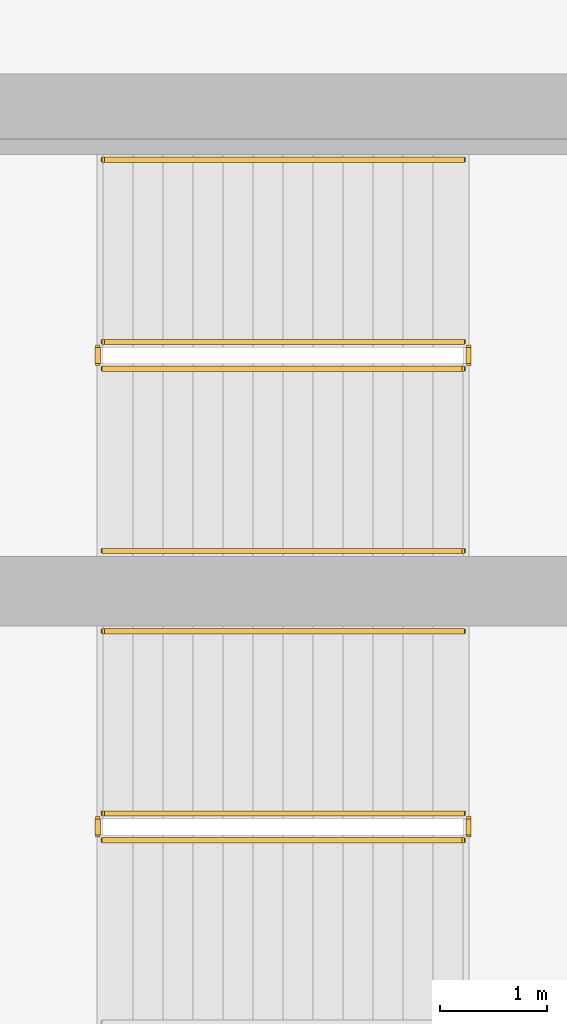
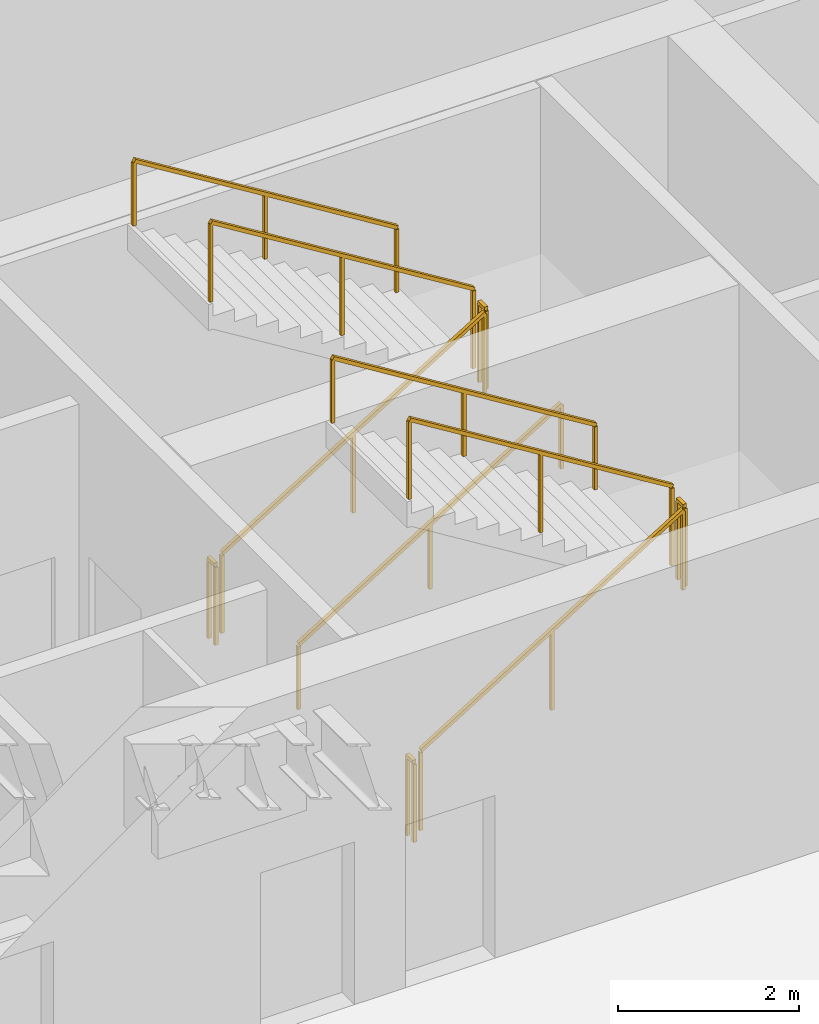
# One storey, part 8 of 10: 11 railings.
"""IFC4 building model written with IfcOpenShell, lengths in metres."""

import ifcopenshell
import ifcopenshell.guid

model = None  # the IFC model being written
_history = None  # IfcOwnerHistory: only IFC2X3 demands one
_inside = {}  # id of a spatial element -> (the spatial element, [elements in it])
_under = {}  # id of a project, library or spatial element -> (it, [spatial elements below it])
_declared = {}  # id of a project -> (the project, [libraries it declares])
_typed = {}  # id of a type object -> (the type object, [elements of that type])
_made_of = {}  # id of a material, layer set ... -> (it, [elements and type objects made of it])


def new_model(schema):
    """Start an empty IFC model of exactly this schema.

    Asked for "IFC4X3", IfcOpenShell would pick the latest addendum, in which some entities
    have other attributes; the version numbers below select the first issue.
    IFC2X3 requires an IfcOwnerHistory on every rooted entity: one is made here for all.
    """
    global model, _history
    if schema == "IFC4X3":
        model = ifcopenshell.file(schema_version=(4, 3, 0, 0))
    else:
        model = ifcopenshell.file(schema=schema)
    _inside.clear()
    _under.clear()
    _declared.clear()
    _typed.clear()
    _made_of.clear()
    _history = None
    if model.schema == "IFC2X3":
        org = make("IfcOrganization", Name="unknown")
        user = make(
            "IfcPersonAndOrganization",
            ThePerson=make("IfcPerson", FamilyName="unknown"),
            TheOrganization=org,
        )
        app = make(
            "IfcApplication",
            ApplicationDeveloper=org,
            Version="unknown",
            ApplicationFullName="unknown",
            ApplicationIdentifier="unknown",
        )
        _history = make(
            "IfcOwnerHistory",
            OwningUser=user,
            OwningApplication=app,
            ChangeAction="ADDED",
            CreationDate=0,
        )
    return model


def make(cls, **values):
    """One entity of the class cls with the attributes given. An attribute that is None is left unset."""
    return model.create_entity(
        cls, **{name: value for name, value in values.items() if value is not None}
    )


def rooted(cls, **values):
    """An entity with a GlobalId (a new one), such as an element, a storey or a relation."""
    return make(cls, GlobalId=ifcopenshell.guid.new(), OwnerHistory=_history, **values)


def si_unit(unit_type, name, prefix=None):
    """IfcSIUnit, for example si_unit("LENGTHUNIT", "METRE", prefix="MILLI")."""
    return make("IfcSIUnit", UnitType=unit_type, Prefix=prefix, Name=name)


def assignment(units):
    """IfcUnitAssignment: the units of a project."""
    return None if units is None else make("IfcUnitAssignment", Units=units)


def point(xyz):
    """IfcCartesianPoint."""
    return None if xyz is None else make("IfcCartesianPoint", Coordinates=xyz)


def direction(xyz):
    """IfcDirection."""
    return None if xyz is None else make("IfcDirection", DirectionRatios=xyz)


def frame(location, z_axis=None, x_axis=None):
    """IfcAxis2Placement3D, a coordinate frame: its origin and axes. An axis left out is left unset."""
    return make(
        "IfcAxis2Placement3D",
        Location=point(location),
        Axis=direction(z_axis),
        RefDirection=direction(x_axis),
    )


def frame_2d(location, x_axis=None):
    """IfcAxis2Placement2D, a coordinate frame in the plane: its origin and x axis."""
    return make(
        "IfcAxis2Placement2D", Location=point(location), RefDirection=direction(x_axis)
    )


def origin():
    """The frame at (0, 0, 0) with its axes left unset."""
    return frame((0.0, 0.0, 0.0))


def origin_2d():
    """The frame at (0, 0) in the plane with its x axis left unset."""
    return frame_2d((0.0, 0.0))


def place(relative_to, where):
    """IfcLocalPlacement: puts the frame where relative to a parent placement (None: the world)."""
    return make(
        "IfcLocalPlacement", PlacementRelTo=relative_to, RelativePlacement=where
    )


def context(
    kind, dimensions, precision=None, world=None, true_north=None, identifier=None
):
    """IfcGeometricRepresentationContext, for example the 3D "Model" context."""
    return make(
        "IfcGeometricRepresentationContext",
        ContextIdentifier=identifier,
        ContextType=kind,
        CoordinateSpaceDimension=dimensions,
        Precision=precision,
        WorldCoordinateSystem=world,
        TrueNorth=true_north,
    )


def subcontext(parent, identifier, kind, view, scale=None):
    """IfcGeometricRepresentationSubContext, for example "Body" below "Model"."""
    return make(
        "IfcGeometricRepresentationSubContext",
        ContextIdentifier=identifier,
        ContextType=kind,
        ParentContext=parent,
        TargetScale=scale,
        TargetView=view,
    )


def project(units=None, contexts=None):
    """IfcProject with its units and contexts."""
    return rooted(
        "IfcProject",
        Name="project",
        RepresentationContexts=contexts,
        UnitsInContext=assignment(units),
    )


def spatial(cls, under=None, at=None, **own):
    """A site, building, storey or space (cls), placed at a placement, below another one or the project."""
    s = rooted(cls, ObjectPlacement=at, **own)
    if under is not None:
        _under.setdefault(under.id(), (under, []))[1].append(s)
    return s


def profile(cls, at=None, kind="AREA", **sizes):
    """A parametric profile (cls). Its sizes go by their IFC names, for example OverallWidth=200.0."""
    return make(cls, ProfileType=kind, Position=at, **sizes)


def rectangle(**sizes):
    """IfcRectangleProfileDef."""
    return profile("IfcRectangleProfileDef", **sizes)


def extrude(swept, where, along, depth):
    """IfcExtrudedAreaSolid: the profile swept, set in the frame where, extruded along a direction by depth."""
    return make(
        "IfcExtrudedAreaSolid",
        SweptArea=swept,
        Position=where,
        ExtrudedDirection=direction(along),
        Depth=depth,
    )


def shape(context_of_items, identifier, shape_type, items):
    """IfcShapeRepresentation: the items that make up one representation, for example the "Body"."""
    return make(
        "IfcShapeRepresentation",
        ContextOfItems=context_of_items,
        RepresentationIdentifier=identifier,
        RepresentationType=shape_type,
        Items=items,
    )


def material(Name=None, Category=None):
    """IfcMaterial."""
    return make("IfcMaterial", Name=Name, Category=Category)


def layer(
    of_material, thickness, ventilated=None, Name=None, Category=None, Priority=None
):
    """IfcMaterialLayer: one layer of a wall or slab, of a material (None: an air gap)."""
    return make(
        "IfcMaterialLayer",
        Material=of_material,
        LayerThickness=thickness,
        IsVentilated=ventilated,
        Name=Name,
        Category=Category,
        Priority=Priority,
    )


def layer_set(layers, Name=None):
    """IfcMaterialLayerSet."""
    return make("IfcMaterialLayerSet", MaterialLayers=layers, LayerSetName=Name)


def made_of(thing, what):
    """Note that an element or type object is made of a material, layer set ...; save() writes the relation."""
    if what is not None:
        _made_of.setdefault(what.id(), (what, []))[1].append(thing)
    return thing


def type_object(cls, material=None, **own):
    """A type object (cls), such as IfcWallType, which elements share."""
    return made_of(rooted(cls, **own), material)


def element(
    cls,
    number,
    at=None,
    inside=None,
    cuts=None,
    type_object=None,
    material=None,
    context=None,
    identifier="Body",
    shape_type=None,
    held_by="IfcProductDefinitionShape",
    body=None,
    shapes=None,
    **own,
):
    """One element of the class cls, such as IfcWall. Its Tag is "e" and its number.

    at: its placement. inside: the storey or other place that contains it. cuts: it is an
    opening in that element (IfcRelVoidsElement). A single representation is given by context,
    identifier, shape_type and body (its items); several are given by shapes. held_by: the class
    of the entity that holds the representations. save() writes the other relations.
    """
    e = rooted(cls, Tag="e%d" % number, ObjectPlacement=at, **own)
    if body is not None:
        shapes = [shape(context, identifier, shape_type, body)]
    if shapes is not None:
        e.Representation = make(held_by, Representations=shapes)
    if inside is not None:
        _inside.setdefault(inside.id(), (inside, []))[1].append(e)
    if cuts is not None:
        rooted(
            "IfcRelVoidsElement", RelatingBuildingElement=cuts, RelatedOpeningElement=e
        )
    if type_object is not None:
        _typed.setdefault(type_object.id(), (type_object, []))[1].append(e)
    return made_of(e, material)


def aggregate(whole, parts):
    """IfcRelAggregates: a whole, such as a stair, and the parts it consists of."""
    return rooted("IfcRelAggregates", RelatingObject=whole, RelatedObjects=parts)


def save(model, path):
    """Write the relations noted so far, then the file.

    IfcRelAggregates (storeys below a building ...), IfcRelContainedInSpatialStructure (elements
    in a storey), IfcRelDefinesByType, IfcRelAssociatesMaterial and IfcRelDeclares: one each for
    every whole, place, type object, material and project.
    """
    for whole, parts in _under.values():
        aggregate(whole, parts)
    for where, things in _inside.values():
        rooted(
            "IfcRelContainedInSpatialStructure",
            RelatedElements=things,
            RelatingStructure=where,
        )
    for kind, things in _typed.values():
        rooted("IfcRelDefinesByType", RelatedObjects=things, RelatingType=kind)
    for what, things in _made_of.values():
        rooted("IfcRelAssociatesMaterial", RelatedObjects=things, RelatingMaterial=what)
    for by, libraries in _declared.values():
        rooted("IfcRelDeclares", RelatingContext=by, RelatedDefinitions=libraries)
    model.write(path)


model = new_model("IFC4")

# Units and contexts
model_context = context("Model", 3, precision=1e-05, world=origin(), true_north=direction((0.0, 1.0)))
body_context = subcontext(model_context, "Body", "Model", "MODEL_VIEW")
ifc_project = project(units=[si_unit("LENGTHUNIT", "METRE"), si_unit("AREAUNIT", "SQUARE_METRE"), si_unit("VOLUMEUNIT", "CUBIC_METRE"), si_unit("PLANEANGLEUNIT", "RADIAN"), si_unit("MASSUNIT", "GRAM", prefix="KILO")], contexts=[model_context])

# Site, building, storey
site_placement = place(None, origin())
site = spatial("IfcSite", under=ifc_project, at=site_placement, CompositionType="ELEMENT")
building_placement = place(site_placement, origin())
building = spatial("IfcBuilding", under=site, at=building_placement, Name="Caeloran Harvest Quay", CompositionType="ELEMENT")
storey_placement = place(building_placement, frame((0.0, 0.0, -4.5)))
storey = spatial("IfcBuildingStorey", under=building, at=storey_placement, Name="B01", CompositionType="ELEMENT", Elevation=-4.5)

# Railings
ifc_material_1 = material(Name="Painted Steel Baluster and Top-Rail Stair Guard", Category="steel")
ifc_layer_1 = layer(ifc_material_1, 0.050048828125, Name="Painted Steel Baluster and Top-Rail Stair Guard")
ifc_layer_set_1 = layer_set([ifc_layer_1], Name="Painted Steel Baluster and Top-Rail Stair Guard")
railing_type_1 = type_object("IfcRailingType", Name="STAIR-GUARD-1100", PredefinedType="GUARDRAIL", material=ifc_layer_set_1)
railing_1_placement = place(storey_placement, frame((15.89990234375, 38.25, 0.173095703125)))
element("IfcRailing", 1, at=railing_1_placement, inside=storey, type_object=railing_type_1, Name="B01 ST-C1 stair guard 1", PredefinedType="GUARDRAIL", context=body_context, shape_type="SweptSolid", body=[
    extrude(rectangle(XDim=0.048095703125, YDim=0.048095703125, at=origin_2d()), frame((0.0, 0.0, 1.076171875), z_axis=(0.850623216509, 0.0, 0.525775754039), x_axis=(0.0, 1.0, 0.0)), (0.0, 0.0, 1.0), 3.9501953125),
    extrude(rectangle(XDim=0.0419921875, YDim=0.0419921875, at=origin_2d()), origin(), (0.0, 0.0, 1.0), 1.052001953125),
    extrude(rectangle(XDim=0.0419921875, YDim=0.0419921875, at=origin_2d()), frame((1.68017578125, 0.0, 1.03857421875)), (0.0, 0.0, 1.0), 1.052001953125),
    extrude(rectangle(XDim=0.0419921875, YDim=0.0419921875, at=origin_2d()), frame((3.360107421875, 0.0, 2.076904296875)), (0.0, 0.0, 1.0), 1.052001953125),
])
railing_2_placement = place(storey_placement, frame((19.31005859375, 38.300048828125, 2.25)))
element("IfcRailing", 2, at=railing_2_placement, inside=storey, type_object=railing_type_1, Name="B01 ST-C1 stair guard 2", PredefinedType="GUARDRAIL", context=body_context, shape_type="SweptSolid", body=[
    extrude(rectangle(XDim=0.048095703125, YDim=0.048095703125, at=origin_2d()), frame((0.0, 0.0, 1.076171875), z_axis=(0.0, 1.0, 0.0), x_axis=(-1.0, 0.0, 0.0)), (0.0, 0.0, 1.0), 0.14990234375),
    extrude(rectangle(XDim=0.0419921875, YDim=0.0419921875, at=origin_2d()), origin(), (0.0, 0.0, 1.0), 1.052001953125),
    extrude(rectangle(XDim=0.0419921875, YDim=0.0419921875, at=origin_2d()), frame((0.0, 0.14990234375, 0.0)), (0.0, 0.0, 1.0), 1.052001953125),
])
railing_3_placement = place(storey_placement, frame((19.260009765625, 38.5, 2.423095703125)))
element("IfcRailing", 3, at=railing_3_placement, inside=storey, type_object=railing_type_1, Name="B01 ST-C1 stair guard 3", PredefinedType="GUARDRAIL", context=body_context, shape_type="SweptSolid", body=[
    extrude(rectangle(XDim=0.048095703125, YDim=0.048095703125, at=origin_2d()), frame((0.0, 0.0, 1.076171875), z_axis=(-0.850623216509, 0.0, 0.525775754039), x_axis=(0.0, -1.0, 0.0)), (0.0, 0.0, 1.0), 3.9501953125),
    extrude(rectangle(XDim=0.0419921875, YDim=0.0419921875, at=origin_2d()), origin(), (0.0, 0.0, 1.0), 1.052001953125),
    extrude(rectangle(XDim=0.0419921875, YDim=0.0419921875, at=origin_2d()), frame((-1.68017578125, 0.0, 1.03857421875)), (0.0, 0.0, 1.0), 1.052001953125),
    extrude(rectangle(XDim=0.0419921875, YDim=0.0419921875, at=origin_2d()), frame((-3.360107421875, 0.0, 2.076904296875)), (0.0, 0.0, 1.0), 1.052001953125),
])
railing_4_placement = place(storey_placement, frame((15.85009765625, 38.300048828125, 0.0)))
element("IfcRailing", 4, at=railing_4_placement, inside=storey, type_object=railing_type_1, Name="B01 ST-C1 stair guard 4", PredefinedType="GUARDRAIL", context=body_context, shape_type="SweptSolid", body=[
    extrude(rectangle(XDim=0.048095703125, YDim=0.048095703125, at=origin_2d()), frame((0.0, 0.0, 1.076171875), z_axis=(0.0, 1.0, 0.0), x_axis=(-1.0, 0.0, 0.0)), (0.0, 0.0, 1.0), 0.14990234375),
    extrude(rectangle(XDim=0.0419921875, YDim=0.0419921875, at=origin_2d()), origin(), (0.0, 0.0, 1.0), 1.052001953125),
    extrude(rectangle(XDim=0.0419921875, YDim=0.0419921875, at=origin_2d()), frame((0.0, 0.14990234375, 0.0)), (0.0, 0.0, 1.0), 1.052001953125),
])
railing_5_placement = place(storey_placement, frame((15.89990234375, 33.85009765625, 0.173095703125)))
element("IfcRailing", 5, at=railing_5_placement, inside=storey, type_object=railing_type_1, Name="B01 ST-C2 stair guard 1", PredefinedType="GUARDRAIL", context=body_context, shape_type="SweptSolid", body=[
    extrude(rectangle(XDim=0.048095703125, YDim=0.048095703125, at=origin_2d()), frame((0.0, 0.0, 1.076171875), z_axis=(0.850623216509, 0.0, 0.525775754039), x_axis=(0.0, 1.0, 0.0)), (0.0, 0.0, 1.0), 3.9501953125),
    extrude(rectangle(XDim=0.0419921875, YDim=0.0419921875, at=origin_2d()), origin(), (0.0, 0.0, 1.0), 1.052001953125),
    extrude(rectangle(XDim=0.0419921875, YDim=0.0419921875, at=origin_2d()), frame((1.68017578125, 0.0, 1.03857421875)), (0.0, 0.0, 1.0), 1.052001953125),
    extrude(rectangle(XDim=0.0419921875, YDim=0.0419921875, at=origin_2d()), frame((3.360107421875, 0.0, 2.076904296875)), (0.0, 0.0, 1.0), 1.052001953125),
])
railing_6_placement = place(storey_placement, frame((19.31005859375, 33.89990234375, 2.25)))
element("IfcRailing", 6, at=railing_6_placement, inside=storey, type_object=railing_type_1, Name="B01 ST-C2 stair guard 2", PredefinedType="GUARDRAIL", context=body_context, shape_type="SweptSolid", body=[
    extrude(rectangle(XDim=0.048095703125, YDim=0.048095703125, at=origin_2d()), frame((0.0, 0.0, 1.076171875), z_axis=(0.0, 1.0, 0.0), x_axis=(-1.0, 0.0, 0.0)), (0.0, 0.0, 1.0), 0.150146484375),
    extrude(rectangle(XDim=0.0419921875, YDim=0.0419921875, at=origin_2d()), origin(), (0.0, 0.0, 1.0), 1.052001953125),
    extrude(rectangle(XDim=0.0419921875, YDim=0.0419921875, at=origin_2d()), frame((0.0, 0.150146484375, 0.0)), (0.0, 0.0, 1.0), 1.052001953125),
])
railing_7_placement = place(storey_placement, frame((19.260009765625, 34.10009765625, 2.423095703125)))
element("IfcRailing", 7, at=railing_7_placement, inside=storey, type_object=railing_type_1, Name="B01 ST-C2 stair guard 3", PredefinedType="GUARDRAIL", context=body_context, shape_type="SweptSolid", body=[
    extrude(rectangle(XDim=0.048095703125, YDim=0.048095703125, at=origin_2d()), frame((0.0, 0.0, 1.076171875), z_axis=(-0.850623216509, 0.0, 0.525775754039), x_axis=(0.0, -1.0, 0.0)), (0.0, 0.0, 1.0), 3.9501953125),
    extrude(rectangle(XDim=0.0419921875, YDim=0.0419921875, at=origin_2d()), origin(), (0.0, 0.0, 1.0), 1.052001953125),
    extrude(rectangle(XDim=0.0419921875, YDim=0.0419921875, at=origin_2d()), frame((-1.68017578125, 0.0, 1.03857421875)), (0.0, 0.0, 1.0), 1.052001953125),
    extrude(rectangle(XDim=0.0419921875, YDim=0.0419921875, at=origin_2d()), frame((-3.360107421875, 0.0, 2.076904296875)), (0.0, 0.0, 1.0), 1.052001953125),
])
railing_8_placement = place(storey_placement, frame((15.85009765625, 33.89990234375, 0.0)))
element("IfcRailing", 8, at=railing_8_placement, inside=storey, type_object=railing_type_1, Name="B01 ST-C2 stair guard 4", PredefinedType="GUARDRAIL", context=body_context, shape_type="SweptSolid", body=[
    extrude(rectangle(XDim=0.048095703125, YDim=0.048095703125, at=origin_2d()), frame((0.0, 0.0, 1.076171875), z_axis=(0.0, 1.0, 0.0), x_axis=(-1.0, 0.0, 0.0)), (0.0, 0.0, 1.0), 0.150146484375),
    extrude(rectangle(XDim=0.0419921875, YDim=0.0419921875, at=origin_2d()), origin(), (0.0, 0.0, 1.0), 1.052001953125),
    extrude(rectangle(XDim=0.0419921875, YDim=0.0419921875, at=origin_2d()), frame((0.0, 0.150146484375, 0.0)), (0.0, 0.0, 1.0), 1.052001953125),
])
ifc_material_2 = material(Name="Brushed Stainless Steel Grade 304", Category="steel")
ifc_layer_2 = layer(ifc_material_2, 0.050048828125, Name="Brushed Stainless Steel Grade 304")
ifc_layer_set_2 = layer_set([ifc_layer_2], Name="Brushed Stainless Steel Grade 304")
railing_type_2 = type_object("IfcRailingType", Name="STAIR-HANDRAIL-900", PredefinedType="HANDRAIL", material=ifc_layer_set_2)
railing_9_placement = place(storey_placement, frame((15.89990234375, 36.550048828125, 0.173095703125)))
element("IfcRailing", 9, at=railing_9_placement, inside=storey, type_object=railing_type_2, Name="B01 ST-C1 stair handrail 1", PredefinedType="HANDRAIL", context=body_context, shape_type="SweptSolid", body=[
    extrude(rectangle(XDim=0.048095703125, YDim=0.048095703125, at=origin_2d()), frame((0.0, 0.0, 0.8759765625), z_axis=(0.850623216509, 0.0, 0.525775754039), x_axis=(0.0, 1.0, 0.0)), (0.0, 0.0, 1.0), 3.9501953125),
    extrude(rectangle(XDim=0.0419921875, YDim=0.0419921875, at=origin_2d()), origin(), (0.0, 0.0, 1.0), 0.851806640625),
    extrude(rectangle(XDim=0.0419921875, YDim=0.0419921875, at=origin_2d()), frame((1.68017578125, 0.0, 1.03857421875)), (0.0, 0.0, 1.0), 0.851806640625),
    extrude(rectangle(XDim=0.0419921875, YDim=0.0419921875, at=origin_2d()), frame((3.360107421875, 0.0, 2.076904296875)), (0.0, 0.0, 1.0), 0.851806640625),
])
for number, where, name in (
    (10, (19.260009765625, 40.199951171875, 2.423095703125), "B01 ST-C1 stair handrail 2"),
    (11, (19.260009765625, 35.800048828125, 2.423095703125), "B01 ST-C2 stair handrail 2"),
):
    element("IfcRailing", number, at=place(storey_placement, frame(where)), inside=storey, type_object=railing_type_2, Name=name, PredefinedType="HANDRAIL", context=body_context, shape_type="SweptSolid", body=[
        extrude(rectangle(XDim=0.048095703125, YDim=0.048095703125, at=origin_2d()), frame((0.0, 0.0, 0.8759765625), z_axis=(-0.850623216509, 0.0, 0.525775754039), x_axis=(0.0, -1.0, 0.0)), (0.0, 0.0, 1.0), 3.9501953125),
        extrude(rectangle(XDim=0.0419921875, YDim=0.0419921875, at=origin_2d()), origin(), (0.0, 0.0, 1.0), 0.851806640625),
        extrude(rectangle(XDim=0.0419921875, YDim=0.0419921875, at=origin_2d()), frame((-1.68017578125, 0.0, 1.03857421875)), (0.0, 0.0, 1.0), 0.851806640625),
        extrude(rectangle(XDim=0.0419921875, YDim=0.0419921875, at=origin_2d()), frame((-3.360107421875, 0.0, 2.076904296875)), (0.0, 0.0, 1.0), 0.851806640625),
    ])

save(model, "model.ifc")
